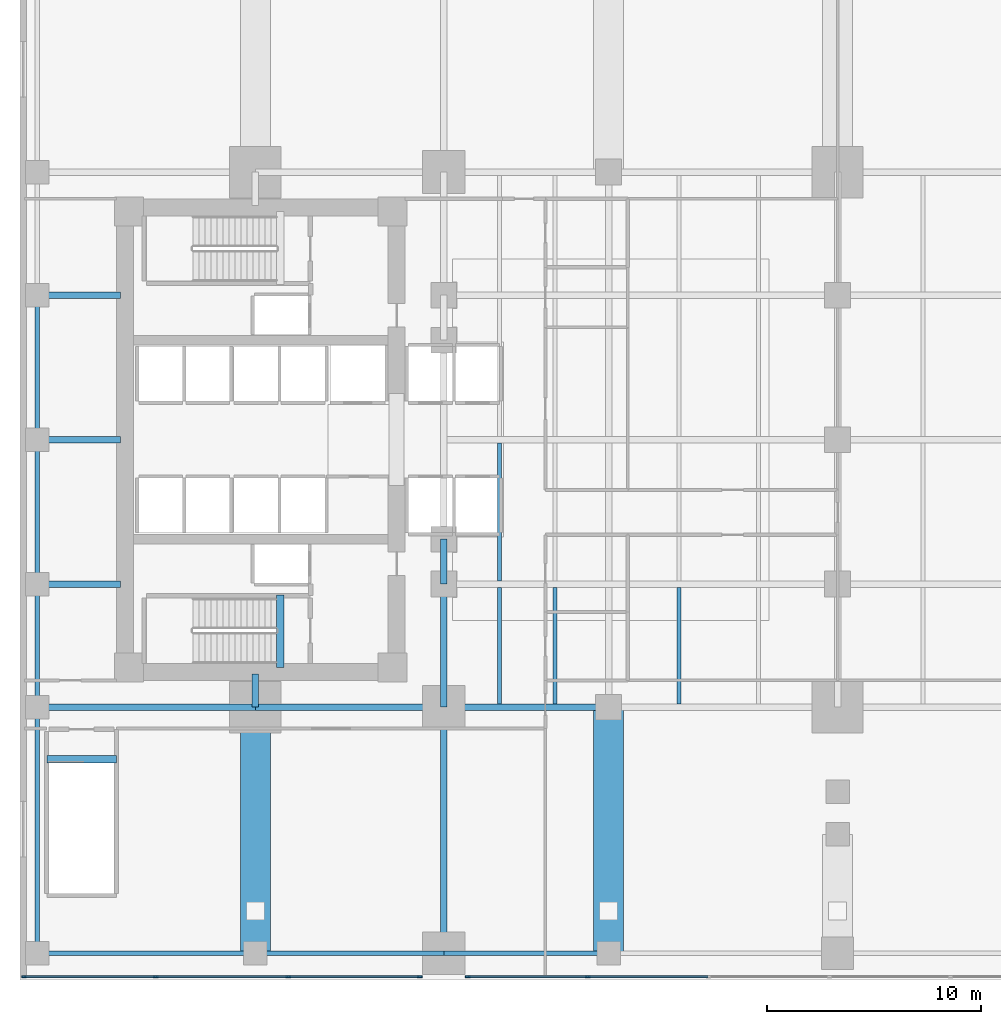
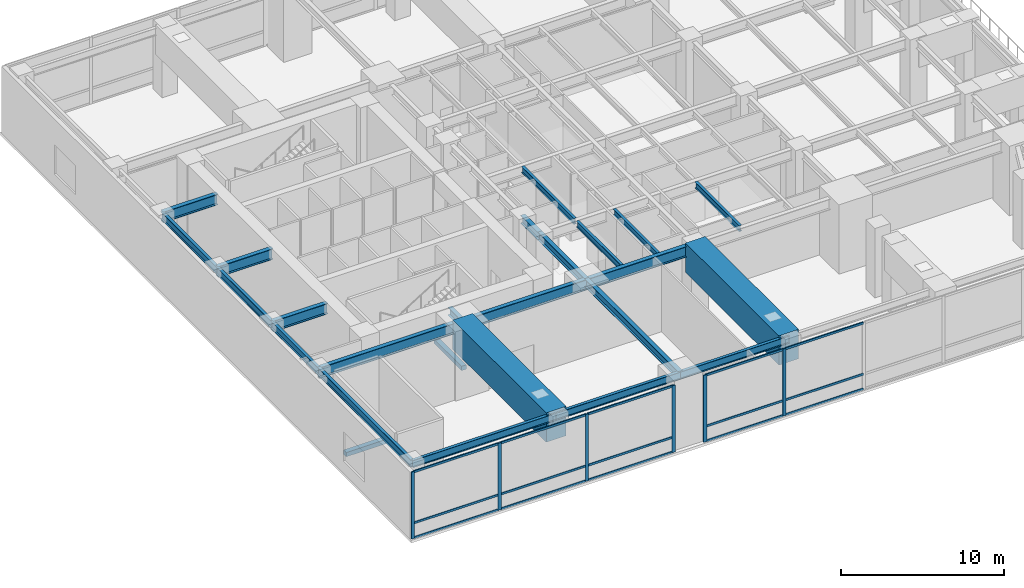
# One storey, part 2 of 14: 25 beams, 21 members, 2 elements without a shape of their own.
"""IFC4 building model written with IfcOpenShell, lengths in metres."""

import ifcopenshell
import ifcopenshell.guid

model = None  # the IFC model being written
_history = None  # IfcOwnerHistory: only IFC2X3 demands one
_inside = {}  # id of a spatial element -> (the spatial element, [elements in it])
_under = {}  # id of a project, library or spatial element -> (it, [spatial elements below it])
_declared = {}  # id of a project -> (the project, [libraries it declares])
_typed = {}  # id of a type object -> (the type object, [elements of that type])
_made_of = {}  # id of a material, layer set ... -> (it, [elements and type objects made of it])


def new_model(schema):
    """Start an empty IFC model of exactly this schema.

    Asked for "IFC4X3", IfcOpenShell would pick the latest addendum, in which some entities
    have other attributes; the version numbers below select the first issue.
    IFC2X3 requires an IfcOwnerHistory on every rooted entity: one is made here for all.
    """
    global model, _history
    if schema == "IFC4X3":
        model = ifcopenshell.file(schema_version=(4, 3, 0, 0))
    else:
        model = ifcopenshell.file(schema=schema)
    _inside.clear()
    _under.clear()
    _declared.clear()
    _typed.clear()
    _made_of.clear()
    _history = None
    if model.schema == "IFC2X3":
        org = make("IfcOrganization", Name="unknown")
        user = make(
            "IfcPersonAndOrganization",
            ThePerson=make("IfcPerson", FamilyName="unknown"),
            TheOrganization=org,
        )
        app = make(
            "IfcApplication",
            ApplicationDeveloper=org,
            Version="unknown",
            ApplicationFullName="unknown",
            ApplicationIdentifier="unknown",
        )
        _history = make(
            "IfcOwnerHistory",
            OwningUser=user,
            OwningApplication=app,
            ChangeAction="ADDED",
            CreationDate=0,
        )
    return model


def make(cls, **values):
    """One entity of the class cls with the attributes given. An attribute that is None is left unset."""
    return model.create_entity(
        cls, **{name: value for name, value in values.items() if value is not None}
    )


def rooted(cls, **values):
    """An entity with a GlobalId (a new one), such as an element, a storey or a relation."""
    return make(cls, GlobalId=ifcopenshell.guid.new(), OwnerHistory=_history, **values)


def si_unit(unit_type, name, prefix=None):
    """IfcSIUnit, for example si_unit("LENGTHUNIT", "METRE", prefix="MILLI")."""
    return make("IfcSIUnit", UnitType=unit_type, Prefix=prefix, Name=name)


def assignment(units):
    """IfcUnitAssignment: the units of a project."""
    return None if units is None else make("IfcUnitAssignment", Units=units)


def point(xyz):
    """IfcCartesianPoint."""
    return None if xyz is None else make("IfcCartesianPoint", Coordinates=xyz)


def direction(xyz):
    """IfcDirection."""
    return None if xyz is None else make("IfcDirection", DirectionRatios=xyz)


def frame(location, z_axis=None, x_axis=None):
    """IfcAxis2Placement3D, a coordinate frame: its origin and axes. An axis left out is left unset."""
    return make(
        "IfcAxis2Placement3D",
        Location=point(location),
        Axis=direction(z_axis),
        RefDirection=direction(x_axis),
    )


def frame_2d(location, x_axis=None):
    """IfcAxis2Placement2D, a coordinate frame in the plane: its origin and x axis."""
    return make(
        "IfcAxis2Placement2D", Location=point(location), RefDirection=direction(x_axis)
    )


def origin():
    """The frame at (0, 0, 0) with its axes left unset."""
    return frame((0.0, 0.0, 0.0))


def origin_2d():
    """The frame at (0, 0) in the plane with its x axis left unset."""
    return frame_2d((0.0, 0.0))


def place(relative_to, where):
    """IfcLocalPlacement: puts the frame where relative to a parent placement (None: the world)."""
    return make(
        "IfcLocalPlacement", PlacementRelTo=relative_to, RelativePlacement=where
    )


def context(
    kind, dimensions, precision=None, world=None, true_north=None, identifier=None
):
    """IfcGeometricRepresentationContext, for example the 3D "Model" context."""
    return make(
        "IfcGeometricRepresentationContext",
        ContextIdentifier=identifier,
        ContextType=kind,
        CoordinateSpaceDimension=dimensions,
        Precision=precision,
        WorldCoordinateSystem=world,
        TrueNorth=true_north,
    )


def subcontext(parent, identifier, kind, view, scale=None):
    """IfcGeometricRepresentationSubContext, for example "Body" below "Model"."""
    return make(
        "IfcGeometricRepresentationSubContext",
        ContextIdentifier=identifier,
        ContextType=kind,
        ParentContext=parent,
        TargetScale=scale,
        TargetView=view,
    )


def project(units=None, contexts=None):
    """IfcProject with its units and contexts."""
    return rooted(
        "IfcProject",
        Name="project",
        RepresentationContexts=contexts,
        UnitsInContext=assignment(units),
    )


def spatial(cls, under=None, at=None, **own):
    """A site, building, storey or space (cls), placed at a placement, below another one or the project."""
    s = rooted(cls, ObjectPlacement=at, **own)
    if under is not None:
        _under.setdefault(under.id(), (under, []))[1].append(s)
    return s


def profile(cls, at=None, kind="AREA", **sizes):
    """A parametric profile (cls). Its sizes go by their IFC names, for example OverallWidth=200.0."""
    return make(cls, ProfileType=kind, Position=at, **sizes)


def rectangle(**sizes):
    """IfcRectangleProfileDef."""
    return profile("IfcRectangleProfileDef", **sizes)


def i_section(**sizes):
    """IfcIShapeProfileDef."""
    return profile("IfcIShapeProfileDef", **sizes)


def extrude(swept, where, along, depth):
    """IfcExtrudedAreaSolid: the profile swept, set in the frame where, extruded along a direction by depth."""
    return make(
        "IfcExtrudedAreaSolid",
        SweptArea=swept,
        Position=where,
        ExtrudedDirection=direction(along),
        Depth=depth,
    )


def shape(context_of_items, identifier, shape_type, items):
    """IfcShapeRepresentation: the items that make up one representation, for example the "Body"."""
    return make(
        "IfcShapeRepresentation",
        ContextOfItems=context_of_items,
        RepresentationIdentifier=identifier,
        RepresentationType=shape_type,
        Items=items,
    )


def material(Name=None, Category=None):
    """IfcMaterial."""
    return make("IfcMaterial", Name=Name, Category=Category)


def layer(
    of_material, thickness, ventilated=None, Name=None, Category=None, Priority=None
):
    """IfcMaterialLayer: one layer of a wall or slab, of a material (None: an air gap)."""
    return make(
        "IfcMaterialLayer",
        Material=of_material,
        LayerThickness=thickness,
        IsVentilated=ventilated,
        Name=Name,
        Category=Category,
        Priority=Priority,
    )


def layer_set(layers, Name=None):
    """IfcMaterialLayerSet."""
    return make("IfcMaterialLayerSet", MaterialLayers=layers, LayerSetName=Name)


def material_profile(
    of_material, cross_section, Name=None, Category=None, Priority=None
):
    """IfcMaterialProfile: a cross section and its material."""
    return make(
        "IfcMaterialProfile",
        Name=Name,
        Material=of_material,
        Profile=cross_section,
        Priority=Priority,
        Category=Category,
    )


def profile_set(profiles, Name=None, composite=None):
    """IfcMaterialProfileSet."""
    return make(
        "IfcMaterialProfileSet",
        Name=Name,
        MaterialProfiles=profiles,
        CompositeProfile=composite,
    )


def made_of(thing, what):
    """Note that an element or type object is made of a material, layer set ...; save() writes the relation."""
    if what is not None:
        _made_of.setdefault(what.id(), (what, []))[1].append(thing)
    return thing


def type_object(cls, material=None, **own):
    """A type object (cls), such as IfcWallType, which elements share."""
    return made_of(rooted(cls, **own), material)


def element(
    cls,
    number,
    at=None,
    inside=None,
    cuts=None,
    type_object=None,
    material=None,
    context=None,
    identifier="Body",
    shape_type=None,
    held_by="IfcProductDefinitionShape",
    body=None,
    shapes=None,
    **own,
):
    """One element of the class cls, such as IfcWall. Its Tag is "e" and its number.

    at: its placement. inside: the storey or other place that contains it. cuts: it is an
    opening in that element (IfcRelVoidsElement). A single representation is given by context,
    identifier, shape_type and body (its items); several are given by shapes. held_by: the class
    of the entity that holds the representations. save() writes the other relations.
    """
    e = rooted(cls, Tag="e%d" % number, ObjectPlacement=at, **own)
    if body is not None:
        shapes = [shape(context, identifier, shape_type, body)]
    if shapes is not None:
        e.Representation = make(held_by, Representations=shapes)
    if inside is not None:
        _inside.setdefault(inside.id(), (inside, []))[1].append(e)
    if cuts is not None:
        rooted(
            "IfcRelVoidsElement", RelatingBuildingElement=cuts, RelatedOpeningElement=e
        )
    if type_object is not None:
        _typed.setdefault(type_object.id(), (type_object, []))[1].append(e)
    return made_of(e, material)


def aggregate(whole, parts):
    """IfcRelAggregates: a whole, such as a stair, and the parts it consists of."""
    return rooted("IfcRelAggregates", RelatingObject=whole, RelatedObjects=parts)


def save(model, path):
    """Write the relations noted so far, then the file.

    IfcRelAggregates (storeys below a building ...), IfcRelContainedInSpatialStructure (elements
    in a storey), IfcRelDefinesByType, IfcRelAssociatesMaterial and IfcRelDeclares: one each for
    every whole, place, type object, material and project.
    """
    for whole, parts in _under.values():
        aggregate(whole, parts)
    for where, things in _inside.values():
        rooted(
            "IfcRelContainedInSpatialStructure",
            RelatedElements=things,
            RelatingStructure=where,
        )
    for kind, things in _typed.values():
        rooted("IfcRelDefinesByType", RelatedObjects=things, RelatingType=kind)
    for what, things in _made_of.values():
        rooted("IfcRelAssociatesMaterial", RelatedObjects=things, RelatingMaterial=what)
    for by, libraries in _declared.values():
        rooted("IfcRelDeclares", RelatingContext=by, RelatedDefinitions=libraries)
    model.write(path)


model = new_model("IFC4")

# Units and contexts
model_context = context("Model", 3, precision=1e-05, world=origin(), true_north=direction((0.0, 1.0)))
body_context = subcontext(model_context, "Body", "Model", "MODEL_VIEW")
ifc_project = project(units=[si_unit("LENGTHUNIT", "METRE"), si_unit("AREAUNIT", "SQUARE_METRE"), si_unit("VOLUMEUNIT", "CUBIC_METRE"), si_unit("PLANEANGLEUNIT", "RADIAN"), si_unit("MASSUNIT", "GRAM", prefix="KILO")], contexts=[model_context])

# Site, building, storey
site_placement = place(None, origin())
site = spatial("IfcSite", under=ifc_project, at=site_placement, CompositionType="ELEMENT")
building_placement = place(site_placement, origin())
building = spatial("IfcBuilding", under=site, at=building_placement, Name="Kinhvarn Gate Tower", CompositionType="ELEMENT")
storey_placement = place(building_placement, frame((0.0, 0.0, 20.39990234375)))
storey = spatial("IfcBuildingStorey", under=building, at=storey_placement, Name="L04", CompositionType="ELEMENT", Elevation=20.39990234375)

# Beams
ifc_material_1 = material(Name="Concrete C50/60", Category="concrete")
ifc_material_profile_1 = material_profile(ifc_material_1, rectangle(XDim=0.340087890625, YDim=0.320068359375, at=origin_2d()), Name="RC 340x320")
ifc_profile_set_1 = profile_set([ifc_material_profile_1], Name="Concrete C50/60")
beam_type_1 = type_object("IfcBeamType", Name="BM-LND-500", PredefinedType="BEAM", material=ifc_profile_set_1)
beam_1_placement = place(storey_placement, frame((12.1650390625, 14.60009765625, -0.159912109375), z_axis=(0.0, 1.0, 0.0), x_axis=(-1.0, 0.0, 0.0)))
element("IfcBeam", 1, at=beam_1_placement, inside=storey, type_object=beam_type_1, Name="Stair ST1 Landing Nosing Beam (L04)", PredefinedType="BEAM", context=body_context, shape_type="SweptSolid", body=[
    extrude(rectangle(XDim=0.340087890625, YDim=0.320068359375, at=origin_2d()), origin(), (0.0, 0.0, 1.0), 3.39990234375),
])
beam_2_placement = place(storey_placement, frame((1.25, 10.31494140625, -0.159912109375), z_axis=(1.0, 0.0, 0.0), x_axis=(0.0, 1.0, 0.0)))
element("IfcBeam", 2, at=beam_2_placement, inside=storey, type_object=beam_type_1, Name="Stair ST3 Landing Nosing Beam (L04)", PredefinedType="BEAM", context=body_context, shape_type="SweptSolid", body=[
    extrude(rectangle(XDim=0.340087890625, YDim=0.320068359375, at=origin_2d()), origin(), (0.0, 0.0, 1.0), 3.25),
])
ifc_material_2 = material(Name="Concrete C60/75", Category="concrete")
ifc_material_profile_2 = material_profile(ifc_material_2, rectangle(XDim=1.39990234375, YDim=2.199951171875, at=origin_2d()), Name="RC 1400x2200")
ifc_profile_set_2 = profile_set([ifc_material_profile_2], Name="Concrete C60/75")
beam_type_2 = type_object("IfcBeamType", Name="BM-TG-2200", PredefinedType="BEAM", material=ifc_profile_set_2)
for number, where, z_axis, x_axis, name in (
    (3, (11.0, 1.25, 4.10009765625), (0.0, 1.0, 0.0), (-1.0, 0.0, 0.0), "Setback Transfer Girder TG-02-L05-CS-0"),
    (4, (27.5, 1.25, 4.10009765625), (0.0, 1.0, 0.0), (-1.0, 0.0, 0.0), "Setback Transfer Girder TG-02-L05-CS-1"),
):
    element("IfcBeam", number, at=place(storey_placement, frame(where, z_axis=z_axis, x_axis=x_axis)), inside=storey, type_object=beam_type_2, Name=name, PredefinedType="BEAM", context=body_context, shape_type="SweptSolid", body=[
        extrude(rectangle(XDim=1.39990234375, YDim=2.199951171875, at=origin_2d()), origin(), (0.0, 0.0, 1.0), 11.5),
    ])

# Curtain wall, members
ifc_material_3 = material(Name="Anodised aluminium AW-6063", Category="aluminium")
ifc_layer = layer(ifc_material_3, 0.219970703125)
ifc_layer_set = layer_set([ifc_layer], Name="Anodised aluminium AW-6063")
curtain_wall_type = type_object("IfcCurtainWallType", Name="CW-SYS-1", PredefinedType="NOTDEFINED", material=ifc_layer_set)
curtain_wall_1_placement = place(storey_placement, origin())
curtain_wall_1 = element("IfcCurtainWall", 5, at=curtain_wall_1_placement, inside=storey, type_object=curtain_wall_type, Name="Curtain Wall CW1 (L04)", PredefinedType="NOTDEFINED")
ifc_material_profile_3 = material_profile(ifc_material_3, rectangle(XDim=0.080078125, YDim=0.219970703125, at=origin_2d()), Name="ALU 80x220")
ifc_profile_set_3 = profile_set([ifc_material_profile_3], Name="Anodised aluminium AW-6063")
member_type_1 = type_object("IfcMemberType", Name="CW-MUL-220", PredefinedType="MULLION", material=ifc_profile_set_3)
member_1_placement = place(storey_placement, frame((0.18994140625, 0.14990234375, 0.0), z_axis=(0.0, 0.0, 1.0), x_axis=(0.0, 1.0, 0.0)))
member_1 = element("IfcMember", 6, at=member_1_placement, type_object=member_type_1, Name="CW1 mullion 1", PredefinedType="MULLION", context=body_context, shape_type="SweptSolid", body=[
    extrude(rectangle(XDim=0.080078125, YDim=0.219970703125, at=origin_2d()), origin(), (0.0, 0.0, 1.0), 5.02001953125),
])
member_2_placement = place(storey_placement, frame((6.340087890625, 0.14990234375, 0.0), z_axis=(0.0, 0.0, 1.0), x_axis=(0.0, 1.0, 0.0)))
member_2 = element("IfcMember", 7, at=member_2_placement, type_object=member_type_1, Name="CW1 mullion 2", PredefinedType="MULLION", context=body_context, shape_type="SweptSolid", body=[
    extrude(rectangle(XDim=0.080078125, YDim=0.219970703125, at=origin_2d()), origin(), (0.0, 0.0, 1.0), 5.02001953125),
])
member_3_placement = place(storey_placement, frame((12.530029296875, 0.14990234375, 0.0), z_axis=(0.0, 0.0, 1.0), x_axis=(0.0, 1.0, 0.0)))
member_3 = element("IfcMember", 8, at=member_3_placement, type_object=member_type_1, Name="CW1 mullion 3", PredefinedType="MULLION", context=body_context, shape_type="SweptSolid", body=[
    extrude(rectangle(XDim=0.080078125, YDim=0.219970703125, at=origin_2d()), origin(), (0.0, 0.0, 1.0), 5.02001953125),
])
member_4_placement = place(storey_placement, frame((18.679931640625, 0.14990234375, 0.0), z_axis=(0.0, 0.0, 1.0), x_axis=(0.0, 1.0, 0.0)))
member_4 = element("IfcMember", 9, at=member_4_placement, type_object=member_type_1, Name="CW1 mullion 4", PredefinedType="MULLION", context=body_context, shape_type="SweptSolid", body=[
    extrude(rectangle(XDim=0.080078125, YDim=0.219970703125, at=origin_2d()), origin(), (0.0, 0.0, 1.0), 5.02001953125),
])

curtain_wall_2_placement = place(storey_placement, origin())
curtain_wall_2 = element("IfcCurtainWall", 10, at=curtain_wall_2_placement, inside=storey, type_object=curtain_wall_type, Name="Curtain Wall CW1 (L04)", PredefinedType="NOTDEFINED")
member_5_placement = place(storey_placement, frame((20.919921875, 0.14990234375, 0.0), z_axis=(0.0, 0.0, 1.0), x_axis=(0.0, 1.0, 0.0)))
member_5 = element("IfcMember", 11, at=member_5_placement, type_object=member_type_1, Name="CW1 mullion 1", PredefinedType="MULLION", context=body_context, shape_type="SweptSolid", body=[
    extrude(rectangle(XDim=0.080078125, YDim=0.219970703125, at=origin_2d()), origin(), (0.0, 0.0, 1.0), 5.02001953125),
])
member_6_placement = place(storey_placement, frame((26.528076171875, 0.14990234375, 0.0), z_axis=(0.0, 0.0, 1.0), x_axis=(0.0, 1.0, 0.0)))
member_6 = element("IfcMember", 12, at=member_6_placement, type_object=member_type_1, Name="CW1 mullion 2", PredefinedType="MULLION", context=body_context, shape_type="SweptSolid", body=[
    extrude(rectangle(XDim=0.080078125, YDim=0.219970703125, at=origin_2d()), origin(), (0.0, 0.0, 1.0), 5.02001953125),
])

# Member
ifc_material_profile_4 = material_profile(ifc_material_3, rectangle(XDim=0.080078125, YDim=0.159912109375, at=origin_2d()), Name="ALU 80x160")
ifc_profile_set_4 = profile_set([ifc_material_profile_4], Name="Anodised aluminium AW-6063")
member_type_2 = type_object("IfcMemberType", Name="CW-TRN-160", PredefinedType="USERDEFINED", material=ifc_profile_set_4)
member_7_placement = place(storey_placement, frame((0.22998046875, 0.14990234375, 0.0400390625), z_axis=(1.0, 0.0, 0.0), x_axis=(0.0, 1.0, 0.0)))
member_7 = element("IfcMember", 13, at=member_7_placement, type_object=member_type_2, Name="CW1 transom 1.1", ObjectType="TRANSOM", PredefinedType="USERDEFINED", context=body_context, shape_type="SweptSolid", body=[
    extrude(rectangle(XDim=0.080078125, YDim=0.159912109375, at=origin_2d()), origin(), (0.0, 0.0, 1.0), 6.070068359375),
])

member_8_placement = place(storey_placement, frame((0.22998046875, 0.14990234375, 1.150146484375), z_axis=(1.0, 0.0, 0.0), x_axis=(0.0, 1.0, 0.0)))
member_8 = element("IfcMember", 14, at=member_8_placement, type_object=member_type_2, Name="CW1 transom 1.2", ObjectType="TRANSOM", PredefinedType="USERDEFINED", context=body_context, shape_type="SweptSolid", body=[
    extrude(rectangle(XDim=0.080078125, YDim=0.159912109375, at=origin_2d()), origin(), (0.0, 0.0, 1.0), 6.070068359375),
])

member_9_placement = place(storey_placement, frame((0.22998046875, 0.14990234375, 4.97998046875), z_axis=(1.0, 0.0, 0.0), x_axis=(0.0, 1.0, 0.0)))
member_9 = element("IfcMember", 15, at=member_9_placement, type_object=member_type_2, Name="CW1 transom 1.3", ObjectType="TRANSOM", PredefinedType="USERDEFINED", context=body_context, shape_type="SweptSolid", body=[
    extrude(rectangle(XDim=0.080078125, YDim=0.159912109375, at=origin_2d()), origin(), (0.0, 0.0, 1.0), 6.070068359375),
])

member_10_placement = place(storey_placement, frame((6.3798828125, 0.14990234375, 0.0400390625), z_axis=(1.0, 0.0, 0.0), x_axis=(0.0, 1.0, 0.0)))
member_10 = element("IfcMember", 16, at=member_10_placement, type_object=member_type_2, Name="CW1 transom 2.1", ObjectType="TRANSOM", PredefinedType="USERDEFINED", context=body_context, shape_type="SweptSolid", body=[
    extrude(rectangle(XDim=0.080078125, YDim=0.159912109375, at=origin_2d()), origin(), (0.0, 0.0, 1.0), 6.110107421875),
])

member_11_placement = place(storey_placement, frame((6.3798828125, 0.14990234375, 1.150146484375), z_axis=(1.0, 0.0, 0.0), x_axis=(0.0, 1.0, 0.0)))
member_11 = element("IfcMember", 17, at=member_11_placement, type_object=member_type_2, Name="CW1 transom 2.2", ObjectType="TRANSOM", PredefinedType="USERDEFINED", context=body_context, shape_type="SweptSolid", body=[
    extrude(rectangle(XDim=0.080078125, YDim=0.159912109375, at=origin_2d()), origin(), (0.0, 0.0, 1.0), 6.110107421875),
])

member_12_placement = place(storey_placement, frame((6.3798828125, 0.14990234375, 4.97998046875), z_axis=(1.0, 0.0, 0.0), x_axis=(0.0, 1.0, 0.0)))
member_12 = element("IfcMember", 18, at=member_12_placement, type_object=member_type_2, Name="CW1 transom 2.3", ObjectType="TRANSOM", PredefinedType="USERDEFINED", context=body_context, shape_type="SweptSolid", body=[
    extrude(rectangle(XDim=0.080078125, YDim=0.159912109375, at=origin_2d()), origin(), (0.0, 0.0, 1.0), 6.110107421875),
])

member_13_placement = place(storey_placement, frame((12.570068359375, 0.14990234375, 0.0400390625), z_axis=(1.0, 0.0, 0.0), x_axis=(0.0, 1.0, 0.0)))
member_13 = element("IfcMember", 19, at=member_13_placement, type_object=member_type_2, Name="CW1 transom 3.1", ObjectType="TRANSOM", PredefinedType="USERDEFINED", context=body_context, shape_type="SweptSolid", body=[
    extrude(rectangle(XDim=0.080078125, YDim=0.159912109375, at=origin_2d()), origin(), (0.0, 0.0, 1.0), 6.06982421875),
])

member_14_placement = place(storey_placement, frame((12.570068359375, 0.14990234375, 1.150146484375), z_axis=(1.0, 0.0, 0.0), x_axis=(0.0, 1.0, 0.0)))
member_14 = element("IfcMember", 20, at=member_14_placement, type_object=member_type_2, Name="CW1 transom 3.2", ObjectType="TRANSOM", PredefinedType="USERDEFINED", context=body_context, shape_type="SweptSolid", body=[
    extrude(rectangle(XDim=0.080078125, YDim=0.159912109375, at=origin_2d()), origin(), (0.0, 0.0, 1.0), 6.06982421875),
])

member_15_placement = place(storey_placement, frame((12.570068359375, 0.14990234375, 4.97998046875), z_axis=(1.0, 0.0, 0.0), x_axis=(0.0, 1.0, 0.0)))
member_15 = element("IfcMember", 21, at=member_15_placement, type_object=member_type_2, Name="CW1 transom 3.3", ObjectType="TRANSOM", PredefinedType="USERDEFINED", context=body_context, shape_type="SweptSolid", body=[
    extrude(rectangle(XDim=0.080078125, YDim=0.159912109375, at=origin_2d()), origin(), (0.0, 0.0, 1.0), 6.06982421875),
])

aggregate(curtain_wall_1, [member_1, member_2, member_3, member_4, member_7, member_8, member_9, member_10, member_11, member_12, member_13, member_14, member_15])

member_16_placement = place(storey_placement, frame((20.9599609375, 0.14990234375, 0.0400390625), z_axis=(1.0, 0.0, 0.0), x_axis=(0.0, 1.0, 0.0)))
member_16 = element("IfcMember", 22, at=member_16_placement, type_object=member_type_2, Name="CW1 transom 1.1", ObjectType="TRANSOM", PredefinedType="USERDEFINED", context=body_context, shape_type="SweptSolid", body=[
    extrude(rectangle(XDim=0.080078125, YDim=0.159912109375, at=origin_2d()), origin(), (0.0, 0.0, 1.0), 5.528076171875),
])

member_17_placement = place(storey_placement, frame((20.9599609375, 0.14990234375, 1.150146484375), z_axis=(1.0, 0.0, 0.0), x_axis=(0.0, 1.0, 0.0)))
member_17 = element("IfcMember", 23, at=member_17_placement, type_object=member_type_2, Name="CW1 transom 1.2", ObjectType="TRANSOM", PredefinedType="USERDEFINED", context=body_context, shape_type="SweptSolid", body=[
    extrude(rectangle(XDim=0.080078125, YDim=0.159912109375, at=origin_2d()), origin(), (0.0, 0.0, 1.0), 5.528076171875),
])

member_18_placement = place(storey_placement, frame((20.9599609375, 0.14990234375, 4.97998046875), z_axis=(1.0, 0.0, 0.0), x_axis=(0.0, 1.0, 0.0)))
member_18 = element("IfcMember", 24, at=member_18_placement, type_object=member_type_2, Name="CW1 transom 1.3", ObjectType="TRANSOM", PredefinedType="USERDEFINED", context=body_context, shape_type="SweptSolid", body=[
    extrude(rectangle(XDim=0.080078125, YDim=0.159912109375, at=origin_2d()), origin(), (0.0, 0.0, 1.0), 5.528076171875),
])

member_19_placement = place(storey_placement, frame((26.568115234375, 0.14990234375, 0.0400390625), z_axis=(1.0, 0.0, 0.0), x_axis=(0.0, 1.0, 0.0)))
member_19 = element("IfcMember", 25, at=member_19_placement, type_object=member_type_2, Name="CW1 transom 2.1", ObjectType="TRANSOM", PredefinedType="USERDEFINED", context=body_context, shape_type="SweptSolid", body=[
    extrude(rectangle(XDim=0.080078125, YDim=0.159912109375, at=origin_2d()), origin(), (0.0, 0.0, 1.0), 5.56787109375),
])

member_20_placement = place(storey_placement, frame((26.568115234375, 0.14990234375, 1.150146484375), z_axis=(1.0, 0.0, 0.0), x_axis=(0.0, 1.0, 0.0)))
member_20 = element("IfcMember", 26, at=member_20_placement, type_object=member_type_2, Name="CW1 transom 2.2", ObjectType="TRANSOM", PredefinedType="USERDEFINED", context=body_context, shape_type="SweptSolid", body=[
    extrude(rectangle(XDim=0.080078125, YDim=0.159912109375, at=origin_2d()), origin(), (0.0, 0.0, 1.0), 5.56787109375),
])

member_21_placement = place(storey_placement, frame((26.568115234375, 0.14990234375, 4.97998046875), z_axis=(1.0, 0.0, 0.0), x_axis=(0.0, 1.0, 0.0)))
member_21 = element("IfcMember", 27, at=member_21_placement, type_object=member_type_2, Name="CW1 transom 2.3", ObjectType="TRANSOM", PredefinedType="USERDEFINED", context=body_context, shape_type="SweptSolid", body=[
    extrude(rectangle(XDim=0.080078125, YDim=0.159912109375, at=origin_2d()), origin(), (0.0, 0.0, 1.0), 5.56787109375),
])

aggregate(curtain_wall_2, [member_5, member_6, member_16, member_17, member_18, member_19, member_20, member_21])

# Beams
ifc_material_4 = material(Name="Steel S355", Category="steel")
ifc_material_profile_5 = material_profile(ifc_material_4, i_section(OverallWidth=0.300048828125, OverallDepth=0.60009765625, WebThickness=0.015380859375, FlangeThickness=0.030029296875, at=origin_2d()), Name="HEB 600")
ifc_profile_set_5 = profile_set([ifc_material_profile_5], Name="Steel S355")
beam_type_3 = type_object("IfcBeamType", Name="STL-HEB600", PredefinedType="BEAM", material=ifc_profile_set_5)
beam_3_placement = place(storey_placement, frame((11.0, 12.75, 4.72021484375), z_axis=(0.0, 1.0, 0.0), x_axis=(-1.0, 0.0, 0.0)))
element("IfcBeam", 28, at=beam_3_placement, inside=storey, type_object=beam_type_3, Name="Floor Beam PG-16 (L04 NS11-CS)", PredefinedType="BEAM", context=body_context, shape_type="SweptSolid", body=[
    extrude(i_section(OverallWidth=0.300048828125, OverallDepth=0.60009765625, WebThickness=0.015380859375, FlangeThickness=0.030029296875, at=origin_2d()), origin(), (0.0, 0.0, 1.0), 1.550048828125),
])
beam_4_placement = place(storey_placement, frame((19.800048828125, 1.25, 4.72021484375), z_axis=(0.0, 1.0, 0.0), x_axis=(-1.0, 0.0, 0.0)))
element("IfcBeam", 29, at=beam_4_placement, inside=storey, type_object=beam_type_3, Name="Floor Beam PG-16 (L04 APW-1)", PredefinedType="BEAM", context=body_context, shape_type="SweptSolid", body=[
    extrude(i_section(OverallWidth=0.300048828125, OverallDepth=0.60009765625, WebThickness=0.015380859375, FlangeThickness=0.030029296875, at=origin_2d()), origin(), (0.0, 0.0, 1.0), 11.5),
])
beam_5_placement = place(storey_placement, frame((19.800048828125, 12.75, 4.72021484375), z_axis=(0.0, 1.0, 0.0), x_axis=(-1.0, 0.0, 0.0)))
element("IfcBeam", 30, at=beam_5_placement, inside=storey, type_object=beam_type_3, Name="Floor Beam PG-16 (L04 APW-2)", PredefinedType="BEAM", context=body_context, shape_type="SweptSolid", body=[
    extrude(i_section(OverallWidth=0.300048828125, OverallDepth=0.60009765625, WebThickness=0.015380859375, FlangeThickness=0.030029296875, at=origin_2d()), origin(), (0.0, 0.0, 1.0), 5.75),
])
beam_6_placement = place(storey_placement, frame((19.800048828125, 18.5, 4.72021484375), z_axis=(0.0, 1.0, 0.0), x_axis=(-1.0, 0.0, 0.0)))
element("IfcBeam", 31, at=beam_6_placement, inside=storey, type_object=beam_type_3, Name="Floor Beam PG-16 (L04 APW-3)", PredefinedType="BEAM", context=body_context, shape_type="SweptSolid", body=[
    extrude(i_section(OverallWidth=0.300048828125, OverallDepth=0.60009765625, WebThickness=0.015380859375, FlangeThickness=0.030029296875, at=origin_2d()), origin(), (0.0, 0.0, 1.0), 2.10009765625),
])
ifc_material_profile_6 = material_profile(ifc_material_4, i_section(OverallWidth=0.300048828125, OverallDepth=0.800048828125, WebThickness=0.017578125, FlangeThickness=0.032958984375, at=origin_2d()), Name="HEB 800")
ifc_profile_set_6 = profile_set([ifc_material_profile_6], Name="Steel S355")
beam_type_4 = type_object("IfcBeamType", Name="STL-HEB800", PredefinedType="BEAM", material=ifc_profile_set_6)
beam_7_placement = place(storey_placement, frame((0.800048828125, 12.75, 4.6201171875), z_axis=(1.0, 0.0, 0.0), x_axis=(0.0, 1.0, 0.0)))
element("IfcBeam", 32, at=beam_7_placement, inside=storey, type_object=beam_type_4, Name="Floor Beam PG-19 (L04 SPS-1)", PredefinedType="BEAM", context=body_context, shape_type="SweptSolid", body=[
    extrude(i_section(OverallWidth=0.300048828125, OverallDepth=0.800048828125, WebThickness=0.017578125, FlangeThickness=0.032958984375, at=origin_2d()), origin(), (0.0, 0.0, 1.0), 10.199951171875),
])
beam_8_placement = place(storey_placement, frame((11.0, 12.75, 4.6201171875), z_axis=(1.0, 0.0, 0.0), x_axis=(0.0, 1.0, 0.0)))
element("IfcBeam", 33, at=beam_8_placement, inside=storey, type_object=beam_type_4, Name="Floor Beam PG-19 (L04 SPS-2)", PredefinedType="BEAM", context=body_context, shape_type="SweptSolid", body=[
    extrude(i_section(OverallWidth=0.300048828125, OverallDepth=0.800048828125, WebThickness=0.017578125, FlangeThickness=0.032958984375, at=origin_2d()), origin(), (0.0, 0.0, 1.0), 8.800048828125),
])
for number, where, z_axis, x_axis, name in (
    (34, (0.800048828125, 18.5, 4.6201171875), (1.0, 0.0, 0.0), (0.0, 1.0, 0.0), "Floor Beam PG-19 (L04 W-MID-18)"),
    (35, (0.800048828125, 25.25, 4.6201171875), (1.0, 0.0, 0.0), (0.0, 1.0, 0.0), "Floor Beam PG-19 (L04 W-MID-25)"),
    (36, (0.800048828125, 32.0, 4.6201171875), (1.0, 0.0, 0.0), (0.0, 1.0, 0.0), "Floor Beam PG-19 (L04 W-MID-32)"),
):
    element("IfcBeam", number, at=place(storey_placement, frame(where, z_axis=z_axis, x_axis=x_axis)), inside=storey, type_object=beam_type_4, Name=name, PredefinedType="BEAM", context=body_context, shape_type="SweptSolid", body=[
        extrude(i_section(OverallWidth=0.300048828125, OverallDepth=0.800048828125, WebThickness=0.017578125, FlangeThickness=0.032958984375, at=origin_2d()), origin(), (0.0, 0.0, 1.0), 3.89990234375),
    ])
beam_9_placement = place(storey_placement, frame((19.800048828125, 12.75, 4.6201171875), z_axis=(1.0, 0.0, 0.0), x_axis=(0.0, 1.0, 0.0)))
element("IfcBeam", 37, at=beam_9_placement, inside=storey, type_object=beam_type_4, Name="Floor Beam PG-19 (L04 BM-S1)", PredefinedType="BEAM", context=body_context, shape_type="SweptSolid", body=[
    extrude(i_section(OverallWidth=0.300048828125, OverallDepth=0.800048828125, WebThickness=0.017578125, FlangeThickness=0.032958984375, at=origin_2d()), origin(), (0.0, 0.0, 1.0), 7.699951171875),
])
ifc_material_profile_7 = material_profile(ifc_material_4, i_section(OverallWidth=0.18994140625, OverallDepth=0.449951171875, WebThickness=0.009521484375, FlangeThickness=0.0146484375, at=origin_2d()), Name="IPE 450")
ifc_profile_set_7 = profile_set([ifc_material_profile_7], Name="Steel S355")
beam_type_5 = type_object("IfcBeamType", Name="STL-IPE450", PredefinedType="JOIST", material=ifc_profile_set_7)
for number, where, z_axis, x_axis, name in (
    (38, (22.39990234375, 12.89990234375, 4.795166015625), (0.0, 1.0, 0.0), (-1.0, 0.0, 0.0), "Floor Joist SB-06 (L04 J224-12)"),
    (39, (25.0, 12.89990234375, 4.795166015625), (0.0, 1.0, 0.0), (-1.0, 0.0, 0.0), "Floor Joist SB-06 (L04 J250-12)"),
    (40, (30.800048828125, 12.89990234375, 4.795166015625), (0.0, 1.0, 0.0), (-1.0, 0.0, 0.0), "Floor Joist SB-06 (L04 J308-12)"),
):
    element("IfcBeam", number, at=place(storey_placement, frame(where, z_axis=z_axis, x_axis=x_axis)), inside=storey, type_object=beam_type_5, Name=name, PredefinedType="JOIST", context=body_context, shape_type="SweptSolid", body=[
        extrude(i_section(OverallWidth=0.18994140625, OverallDepth=0.449951171875, WebThickness=0.009521484375, FlangeThickness=0.0146484375, at=origin_2d()), origin(), (0.0, 0.0, 1.0), 5.4501953125),
    ])
beam_10_placement = place(storey_placement, frame((22.39990234375, 18.64990234375, 4.795166015625), z_axis=(0.0, 1.0, 0.0), x_axis=(-1.0, 0.0, 0.0)))
element("IfcBeam", 41, at=beam_10_placement, inside=storey, type_object=beam_type_5, Name="Floor Joist SB-06 (L04 J224-18)", PredefinedType="JOIST", context=body_context, shape_type="SweptSolid", body=[
    extrude(i_section(OverallWidth=0.18994140625, OverallDepth=0.449951171875, WebThickness=0.009521484375, FlangeThickness=0.0146484375, at=origin_2d()), origin(), (0.0, 0.0, 1.0), 6.4501953125),
])
ifc_material_profile_8 = material_profile(ifc_material_4, i_section(OverallWidth=0.2099609375, OverallDepth=0.550048828125, WebThickness=0.010986328125, FlangeThickness=0.01708984375, at=origin_2d()), Name="IPE 550")
ifc_profile_set_8 = profile_set([ifc_material_profile_8], Name="Steel S355")
beam_type_6 = type_object("IfcBeamType", Name="STL-IPE550", PredefinedType="SPANDREL", material=ifc_profile_set_8)
beam_11_placement = place(storey_placement, frame((0.800048828125, 1.25, 4.7451171875), z_axis=(0.0, 1.0, 0.0), x_axis=(-1.0, 0.0, 0.0)))
element("IfcBeam", 42, at=beam_11_placement, inside=storey, type_object=beam_type_6, Name="Floor Spandrel SB-08 (L04 PERW-1)", PredefinedType="SPANDREL", context=body_context, shape_type="SweptSolid", body=[
    extrude(i_section(OverallWidth=0.2099609375, OverallDepth=0.550048828125, WebThickness=0.010986328125, FlangeThickness=0.01708984375, at=origin_2d()), origin(), (0.0, 0.0, 1.0), 11.5),
])
beam_12_placement = place(storey_placement, frame((0.800048828125, 12.75, 4.7451171875), z_axis=(0.0, 1.0, 0.0), x_axis=(-1.0, 0.0, 0.0)))
element("IfcBeam", 43, at=beam_12_placement, inside=storey, type_object=beam_type_6, Name="Floor Spandrel SB-08 (L04 PERW-2)", PredefinedType="SPANDREL", context=body_context, shape_type="SweptSolid", body=[
    extrude(i_section(OverallWidth=0.2099609375, OverallDepth=0.550048828125, WebThickness=0.010986328125, FlangeThickness=0.01708984375, at=origin_2d()), origin(), (0.0, 0.0, 1.0), 5.75),
])
for number, where, z_axis, x_axis, name in (
    (44, (0.800048828125, 18.5, 4.7451171875), (0.0, 1.0, 0.0), (-1.0, 0.0, 0.0), "Floor Spandrel SB-08 (L04 PERW-3)"),
    (45, (0.800048828125, 25.25, 4.7451171875), (0.0, 1.0, 0.0), (-1.0, 0.0, 0.0), "Floor Spandrel SB-08 (L04 PERW-4)"),
):
    element("IfcBeam", number, at=place(storey_placement, frame(where, z_axis=z_axis, x_axis=x_axis)), inside=storey, type_object=beam_type_6, Name=name, PredefinedType="SPANDREL", context=body_context, shape_type="SweptSolid", body=[
        extrude(i_section(OverallWidth=0.2099609375, OverallDepth=0.550048828125, WebThickness=0.010986328125, FlangeThickness=0.01708984375, at=origin_2d()), origin(), (0.0, 0.0, 1.0), 6.75),
    ])
beam_13_placement = place(storey_placement, frame((0.800048828125, 1.25, 4.7451171875), z_axis=(1.0, 0.0, 0.0), x_axis=(0.0, 1.0, 0.0)))
element("IfcBeam", 46, at=beam_13_placement, inside=storey, type_object=beam_type_6, Name="Floor Spandrel SB-08 (L04 SP-POD-SW1)", PredefinedType="SPANDREL", context=body_context, shape_type="SweptSolid", body=[
    extrude(i_section(OverallWidth=0.2099609375, OverallDepth=0.550048828125, WebThickness=0.010986328125, FlangeThickness=0.01708984375, at=origin_2d()), origin(), (0.0, 0.0, 1.0), 10.199951171875),
])
beam_14_placement = place(storey_placement, frame((11.0, 1.25, 4.7451171875), z_axis=(1.0, 0.0, 0.0), x_axis=(0.0, 1.0, 0.0)))
element("IfcBeam", 47, at=beam_14_placement, inside=storey, type_object=beam_type_6, Name="Floor Spandrel SB-08 (L04 SP-POD-SW2)", PredefinedType="SPANDREL", context=body_context, shape_type="SweptSolid", body=[
    extrude(i_section(OverallWidth=0.2099609375, OverallDepth=0.550048828125, WebThickness=0.010986328125, FlangeThickness=0.01708984375, at=origin_2d()), origin(), (0.0, 0.0, 1.0), 8.800048828125),
])
beam_15_placement = place(storey_placement, frame((19.800048828125, 1.25, 4.7451171875), z_axis=(1.0, 0.0, 0.0), x_axis=(0.0, 1.0, 0.0)))
element("IfcBeam", 48, at=beam_15_placement, inside=storey, type_object=beam_type_6, Name="Floor Spandrel SB-08 (L04 BS-SP1)", PredefinedType="SPANDREL", context=body_context, shape_type="SweptSolid", body=[
    extrude(i_section(OverallWidth=0.2099609375, OverallDepth=0.550048828125, WebThickness=0.010986328125, FlangeThickness=0.01708984375, at=origin_2d()), origin(), (0.0, 0.0, 1.0), 7.699951171875),
])

save(model, "model.ifc")
